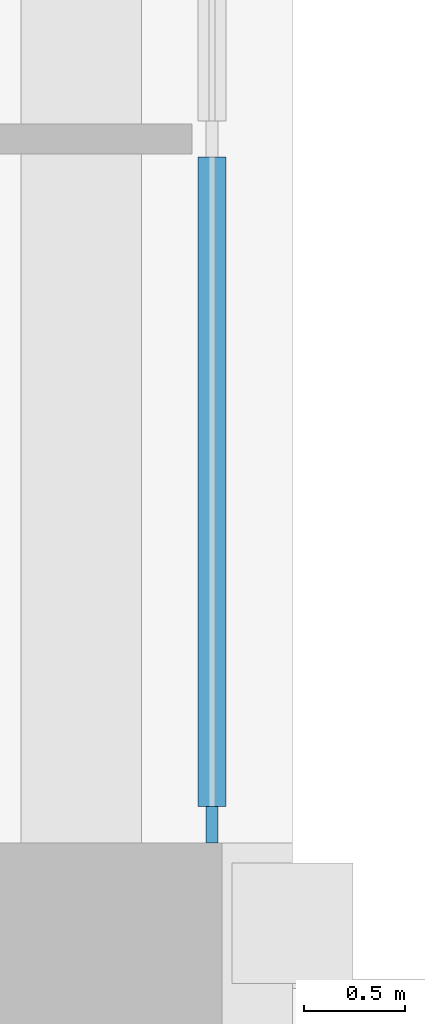
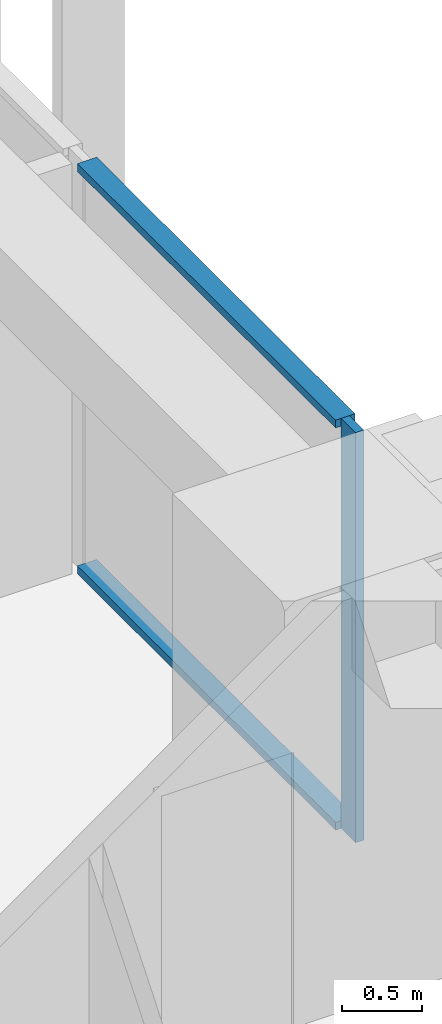
# One storey, part 4 of 19: 3 members, 1 element without a shape of its own.
"""IFC4 building model written with IfcOpenShell, lengths in metres."""

from ifc_helpers import new_model, si_unit, direction, frame, origin, origin_2d, place, context, subcontext, project, spatial, rectangle, extrude, material, material_profile, profile_set, type_object, element, aggregate, save


model = new_model("IFC4")

# Units and contexts
model_context = context("Model", 3, precision=1e-05, world=origin(), true_north=direction((0.0, 1.0)))
body_context = subcontext(model_context, "Body", "Model", "MODEL_VIEW")
ifc_project = project(units=[si_unit("LENGTHUNIT", "METRE"), si_unit("AREAUNIT", "SQUARE_METRE"), si_unit("VOLUMEUNIT", "CUBIC_METRE"), si_unit("PLANEANGLEUNIT", "RADIAN"), si_unit("MASSUNIT", "GRAM", prefix="KILO")], contexts=[model_context])

# Site, building, storey
site_placement = place(None, origin())
site = spatial("IfcSite", under=ifc_project, at=site_placement, CompositionType="ELEMENT")
building_placement = place(site_placement, origin())
building = spatial("IfcBuilding", under=site, at=building_placement, Name="Vermilion Ogive Tower", CompositionType="ELEMENT")
storey_placement = place(building_placement, frame((0.0, 0.0, 48.300048828125)))
storey = spatial("IfcBuildingStorey", under=building, at=storey_placement, Name="L10", CompositionType="ELEMENT", Elevation=48.300048828125)

# Curtain wall, members
ifc_material_1 = material(Name="Low-iron laminated glazing in aluminium frame", Category="aluminium")
curtain_wall_type = type_object("IfcCurtainWallType", Name="Curtain wall CW7", PredefinedType="NOTDEFINED", material=ifc_material_1)
curtain_wall_placement = place(storey_placement, origin())
curtain_wall = element("IfcCurtainWall", 1, at=curtain_wall_placement, inside=storey, type_object=curtain_wall_type, Name="Glazed skin E3", PredefinedType="NOTDEFINED")
ifc_material_2 = material(Name="Aluminium mullion", Category="aluminium")
ifc_material_profile_1 = material_profile(ifc_material_2, rectangle(XDim=0.06005859375, YDim=0.179931640625, at=origin_2d()), Name="AL 60x180")
ifc_profile_set_1 = profile_set([ifc_material_profile_1], Name="Aluminium mullion")
member_type_1 = type_object("IfcMemberType", Name="CW7 mullion 60x180", PredefinedType="MULLION", material=ifc_profile_set_1)
member_1_placement = place(storey_placement, frame((25.85009765625, 4.989990234375, 0.0), z_axis=(0.0, 0.0, 1.0), x_axis=(-1.0, 0.0, 0.0)))
member_1 = element("IfcMember", 2, at=member_1_placement, type_object=member_type_1, Name="CW7-E3 mullion 1", PredefinedType="MULLION", context=body_context, shape_type="SweptSolid", body=[
    extrude(rectangle(XDim=0.06005859375, YDim=0.179931640625, at=origin_2d()), origin(), (0.0, 0.0, 1.0), 3.1298828125),
])
ifc_material_3 = material(Name="Aluminium transom", Category="aluminium")
ifc_material_profile_2 = material_profile(ifc_material_3, rectangle(XDim=0.139892578125, YDim=0.06005859375, at=origin_2d()), Name="AL 60x140")
ifc_profile_set_2 = profile_set([ifc_material_profile_2], Name="Aluminium transom")
member_type_2 = type_object("IfcMemberType", Name="CW7 transom 60x140", PredefinedType="USERDEFINED", material=ifc_profile_set_2)
member_2_placement = place(storey_placement, frame((25.85009765625, 5.080078125, 0.030029296875), z_axis=(0.0, 1.0, 0.0), x_axis=(-1.0, 0.0, 0.0)))
member_2 = element("IfcMember", 3, at=member_2_placement, type_object=member_type_2, Name="CW7-E3 transom 1.1", ObjectType="TRANSOM", PredefinedType="USERDEFINED", context=body_context, shape_type="SweptSolid", body=[
    extrude(rectangle(XDim=0.139892578125, YDim=0.06005859375, at=origin_2d()), origin(), (0.0, 0.0, 1.0), 3.22998046875),
])
member_3_placement = place(storey_placement, frame((25.85009765625, 5.080078125, 3.099853515625), z_axis=(0.0, 1.0, 0.0), x_axis=(-1.0, 0.0, 0.0)))
member_3 = element("IfcMember", 4, at=member_3_placement, type_object=member_type_2, Name="CW7-E3 transom 1.2", ObjectType="TRANSOM", PredefinedType="USERDEFINED", context=body_context, shape_type="SweptSolid", body=[
    extrude(rectangle(XDim=0.139892578125, YDim=0.06005859375, at=origin_2d()), origin(), (0.0, 0.0, 1.0), 3.22998046875),
])
aggregate(curtain_wall, [member_1, member_2, member_3])

save(model, "model.ifc")
